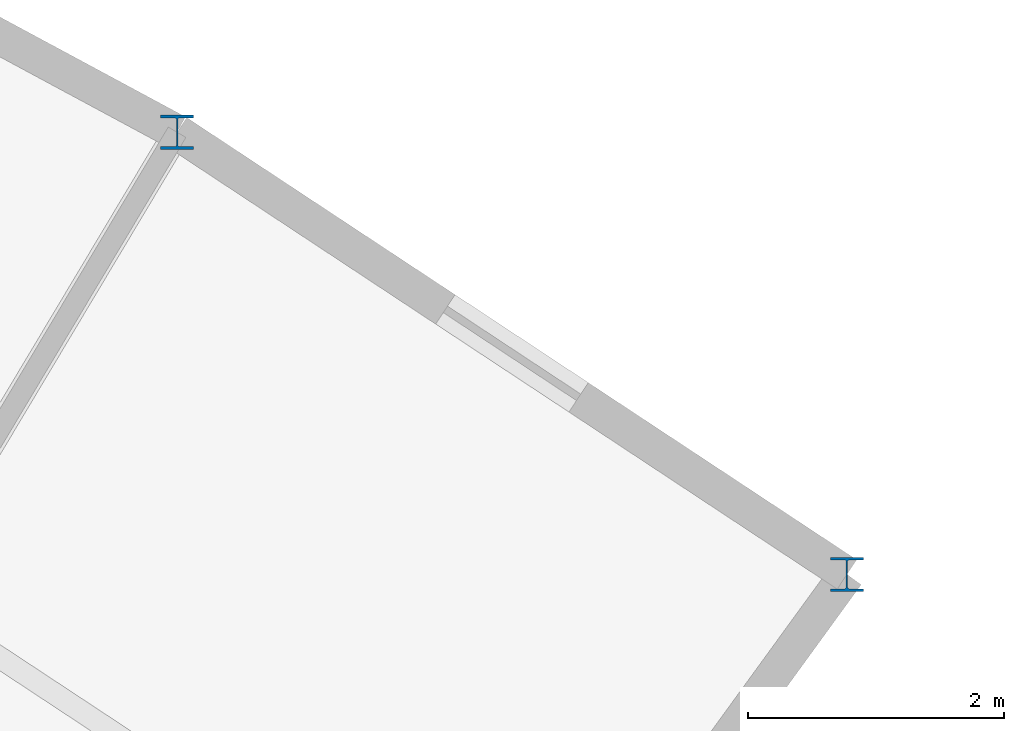
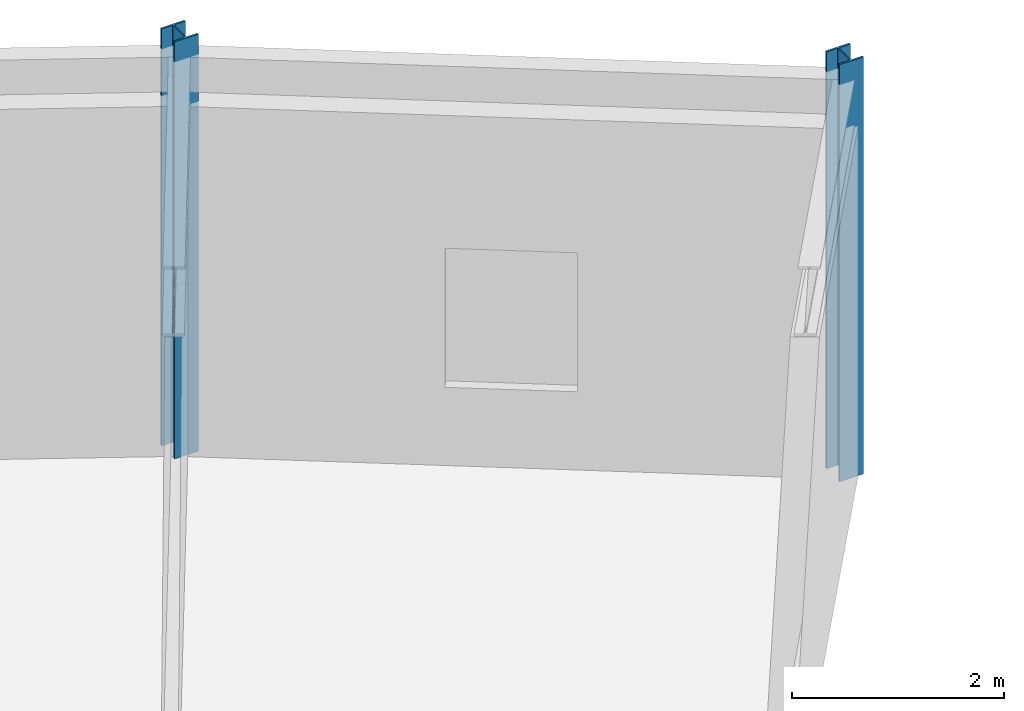
# One storey, part 19 of 116: 2 columns.
"""IFC4 building model written with IfcOpenShell, lengths in metres."""

from ifc_helpers import new_model, si_unit, direction, frame, origin, origin_2d, place, context, subcontext, project, spatial, i_section, extrude, material, material_profile, profile_set, type_object, element, save


model = new_model("IFC4")

# Units and contexts
model_context = context("Model", 3, precision=1e-05, world=origin(), true_north=direction((0.0, 1.0)))
body_context = subcontext(model_context, "Body", "Model", "MODEL_VIEW")
ifc_project = project(units=[si_unit("LENGTHUNIT", "METRE"), si_unit("AREAUNIT", "SQUARE_METRE"), si_unit("VOLUMEUNIT", "CUBIC_METRE"), si_unit("PLANEANGLEUNIT", "RADIAN"), si_unit("MASSUNIT", "GRAM", prefix="KILO")], contexts=[model_context])

# Site, building, storey
site_placement = place(None, origin())
site = spatial("IfcSite", under=ifc_project, at=site_placement, CompositionType="ELEMENT")
building_placement = place(site_placement, origin())
building = spatial("IfcBuilding", under=site, at=building_placement, Name="Selat Folded Stagehouse", CompositionType="ELEMENT")
storey_placement = place(building_placement, frame((0.0, 0.0, 5.39990234375)))
storey = spatial("IfcBuildingStorey", under=building, at=storey_placement, Name="L01", CompositionType="ELEMENT", Elevation=5.39990234375)

# Columns
ifc_material = material(Name="Steel S355", Category="steel")
ifc_material_profile = material_profile(ifc_material, i_section(OverallWidth=0.2587890625, OverallDepth=0.2666015625, WebThickness=0.0126953125, FlangeThickness=0.0205078125, FilletRadius=0.0126953125, at=origin_2d()), Name="UKC 254x254x107")
ifc_profile_set = profile_set([ifc_material_profile], Name="Steel S355")
column_type = type_object("IfcColumnType", Name="COL-UKC-254x254x107", PredefinedType="COLUMN", material=ifc_profile_set)
for number, where, z_axis, x_axis, name in (
    (1, (128.302978515625, 98.09130859375, 0.0), (0.0, 0.0, 1.0), (1.0, 0.0, 0.0), "L01 column STK-V6OUT-13"),
    (2, (133.544921875, 94.631103515625, 0.0), (0.0, 0.0, 1.0), (1.0, 0.0, 0.0), "L01 column STK-V6OUT-14"),
):
    element("IfcColumn", number, at=place(storey_placement, frame(where, z_axis=z_axis, x_axis=x_axis)), inside=storey, type_object=column_type, Name=name, PredefinedType="COLUMN", context=body_context, shape_type="SweptSolid", body=[
        extrude(i_section(OverallWidth=0.2587890625, OverallDepth=0.2666015625, WebThickness=0.0126953125, FlangeThickness=0.0205078125, FilletRadius=0.0126953125, at=origin_2d()), origin(), (0.0, 0.0, 1.0), 4.800048828125),
    ])

save(model, "model.ifc")
